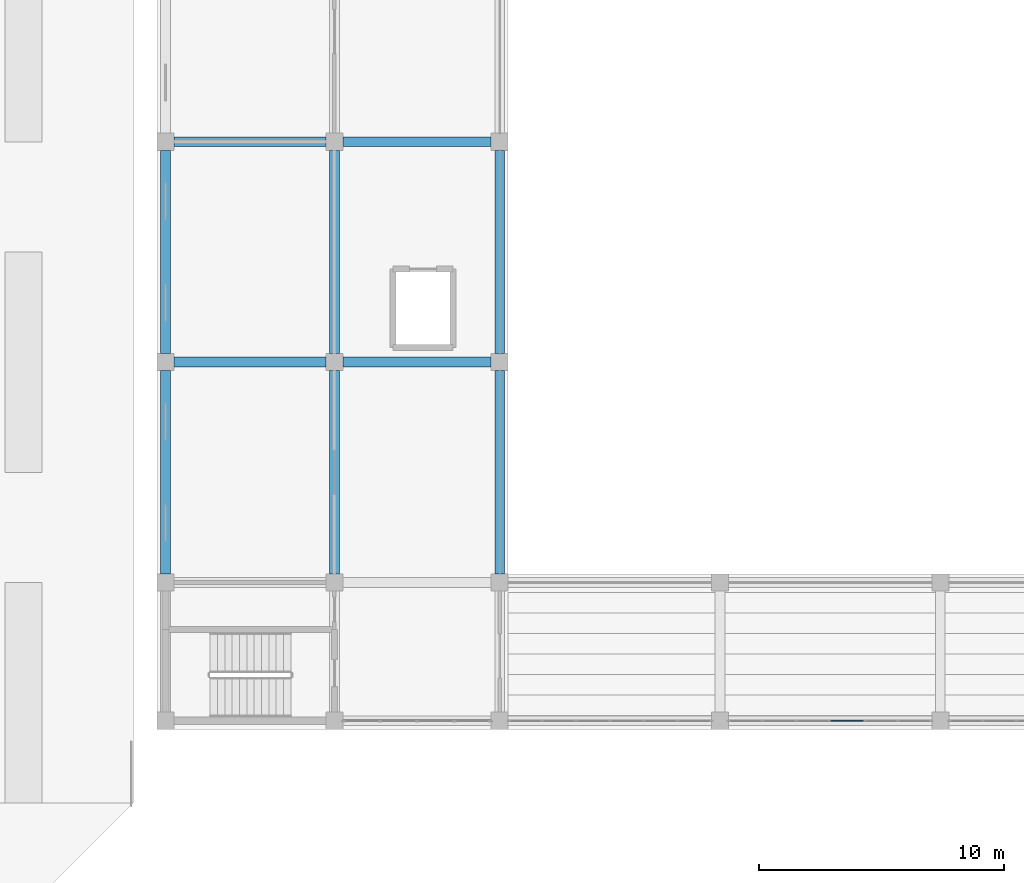
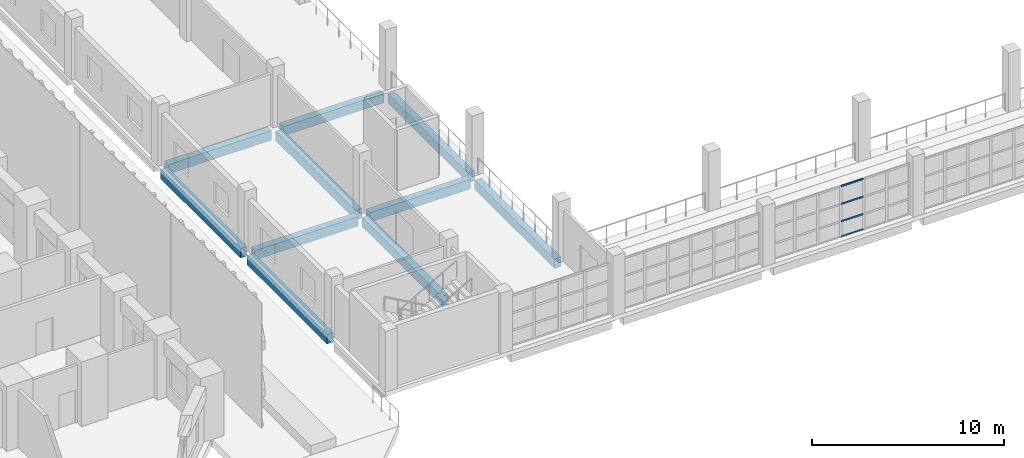
# One storey, part 4 of 36: 10 beams, 4 members, 1 element without a shape of its own.
"""IFC4 building model written with IfcOpenShell, lengths in metres."""

from ifc_helpers import new_model, si_unit, direction, frame, origin, origin_2d, place, context, subcontext, project, spatial, rectangle, extrude, material, layer, layer_set, material_profile, profile_set, type_object, element, aggregate, save


model = new_model("IFC4")

# Units and contexts
model_context = context("Model", 3, precision=1e-05, world=origin(), true_north=direction((0.0, 1.0)))
body_context = subcontext(model_context, "Body", "Model", "MODEL_VIEW")
ifc_project = project(units=[si_unit("LENGTHUNIT", "METRE"), si_unit("AREAUNIT", "SQUARE_METRE"), si_unit("VOLUMEUNIT", "CUBIC_METRE"), si_unit("PLANEANGLEUNIT", "RADIAN"), si_unit("MASSUNIT", "GRAM", prefix="KILO")], contexts=[model_context])

# Site, building, storey
site_placement = place(None, origin())
site = spatial("IfcSite", under=ifc_project, at=site_placement, CompositionType="ELEMENT")
building_placement = place(site_placement, origin())
building = spatial("IfcBuilding", under=site, at=building_placement, Name="Corbel Stack Research Tower", CompositionType="ELEMENT")
storey_placement = place(building_placement, frame((0.0, 0.0, 7.199951171875)))
storey = spatial("IfcBuildingStorey", under=building, at=storey_placement, Name="L01", CompositionType="ELEMENT", Elevation=7.199951171875)

# Curtain wall, members
ifc_material_1 = material(Name="Aluminium", Category="aluminium")
ifc_layer = layer(ifc_material_1, 0.139892578125)
ifc_layer_set = layer_set([ifc_layer], Name="Aluminium")
curtain_wall_type = type_object("IfcCurtainWallType", Name="CW6 gallery curtain wall", PredefinedType="NOTDEFINED", material=ifc_layer_set)
curtain_wall_placement = place(storey_placement, origin())
curtain_wall = element("IfcCurtainWall", 1, at=curtain_wall_placement, inside=storey, type_object=curtain_wall_type, Name="Gallery curtain wall L01 6", PredefinedType="NOTDEFINED")
ifc_material_2 = material(Name="Aluminium", Category="aluminium")
ifc_material_profile_1 = material_profile(ifc_material_2, rectangle(XDim=0.050048828125, YDim=0.10009765625, at=origin_2d()), Name="Transom 50 x 100")
ifc_profile_set_1 = profile_set([ifc_material_profile_1], Name="Aluminium")
member_type = type_object("IfcMemberType", Name="CW6 transom 50 x 100", PredefinedType="USERDEFINED", material=ifc_profile_set_1)
member_1_placement = place(storey_placement, frame((64.47509765625, -23.64990234375, 0.025146484375), z_axis=(1.0, 0.0, 0.0), x_axis=(0.0, 1.0, 0.0)))
member_1 = element("IfcMember", 2, at=member_1_placement, type_object=member_type, Name="CW6 transom 4.1", ObjectType="TRANSOM", PredefinedType="USERDEFINED", context=body_context, shape_type="SweptSolid", body=[
    extrude(rectangle(XDim=0.050048828125, YDim=0.10009765625, at=origin_2d()), origin(), (0.0, 0.0, 1.0), 1.333251953125),
])
member_2_placement = place(storey_placement, frame((64.47509765625, -23.64990234375, 1.0), z_axis=(1.0, 0.0, 0.0), x_axis=(0.0, 1.0, 0.0)))
member_2 = element("IfcMember", 3, at=member_2_placement, type_object=member_type, Name="CW6 transom 4.2", ObjectType="TRANSOM", PredefinedType="USERDEFINED", context=body_context, shape_type="SweptSolid", body=[
    extrude(rectangle(XDim=0.050048828125, YDim=0.10009765625, at=origin_2d()), origin(), (0.0, 0.0, 1.0), 1.333251953125),
])
member_3_placement = place(storey_placement, frame((64.47509765625, -23.64990234375, 2.10009765625), z_axis=(1.0, 0.0, 0.0), x_axis=(0.0, 1.0, 0.0)))
member_3 = element("IfcMember", 4, at=member_3_placement, type_object=member_type, Name="CW6 transom 4.3", ObjectType="TRANSOM", PredefinedType="USERDEFINED", context=body_context, shape_type="SweptSolid", body=[
    extrude(rectangle(XDim=0.050048828125, YDim=0.10009765625, at=origin_2d()), origin(), (0.0, 0.0, 1.0), 1.333251953125),
])
member_4_placement = place(storey_placement, frame((64.47509765625, -23.64990234375, 3.22509765625), z_axis=(1.0, 0.0, 0.0), x_axis=(0.0, 1.0, 0.0)))
member_4 = element("IfcMember", 5, at=member_4_placement, type_object=member_type, Name="CW6 transom 4.4", ObjectType="TRANSOM", PredefinedType="USERDEFINED", context=body_context, shape_type="SweptSolid", body=[
    extrude(rectangle(XDim=0.050048828125, YDim=0.10009765625, at=origin_2d()), origin(), (0.0, 0.0, 1.0), 1.333251953125),
])
aggregate(curtain_wall, [member_1, member_2, member_3, member_4])

# Beams
ifc_material_3 = material(Name="Concrete C40/50", Category="concrete")
ifc_material_profile_2 = material_profile(ifc_material_3, rectangle(XDim=0.39990234375, YDim=0.60009765625, at=origin_2d()), Name="RC 400 x 600")
ifc_profile_set_2 = profile_set([ifc_material_profile_2], Name="Concrete C40/50")
beam_type = type_object("IfcBeamType", Name="HB1 RC beam 400 x 600", PredefinedType="BEAM", material=ifc_profile_set_2)
beam_1_placement = place(storey_placement, frame((37.300048828125, -17.64990234375, -0.550048828125), z_axis=(0.0, 1.0, 0.0), x_axis=(-1.0, 0.0, 0.0)))
element("IfcBeam", 6, at=beam_1_placement, inside=storey, type_object=beam_type, Name="Floor beam L01 H1HB-H1HC", PredefinedType="BEAM", context=body_context, shape_type="SweptSolid", body=[
    extrude(rectangle(XDim=0.39990234375, YDim=0.60009765625, at=origin_2d()), origin(), (0.0, 0.0, 1.0), 8.2998046875),
])
beam_2_placement = place(storey_placement, frame((37.64990234375, -9.0, -0.550048828125), z_axis=(1.0, 0.0, 0.0), x_axis=(0.0, 1.0, 0.0)))
element("IfcBeam", 7, at=beam_2_placement, inside=storey, type_object=beam_type, Name="Floor beam L01 H1HC-H2HC", PredefinedType="BEAM", context=body_context, shape_type="SweptSolid", body=[
    extrude(rectangle(XDim=0.39990234375, YDim=0.60009765625, at=origin_2d()), origin(), (0.0, 0.0, 1.0), 6.2001953125),
])
beam_3_placement = place(storey_placement, frame((37.300048828125, -8.64990234375, -0.550048828125), z_axis=(0.0, 1.0, 0.0), x_axis=(-1.0, 0.0, 0.0)))
element("IfcBeam", 8, at=beam_3_placement, inside=storey, type_object=beam_type, Name="Floor beam L01 H1HC-H1HD", PredefinedType="BEAM", context=body_context, shape_type="SweptSolid", body=[
    extrude(rectangle(XDim=0.39990234375, YDim=0.60009765625, at=origin_2d()), origin(), (0.0, 0.0, 1.0), 8.2998046875),
])
beam_4_placement = place(storey_placement, frame((37.64990234375, 0.0, -0.550048828125), z_axis=(1.0, 0.0, 0.0), x_axis=(0.0, 1.0, 0.0)))
element("IfcBeam", 9, at=beam_4_placement, inside=storey, type_object=beam_type, Name="Floor beam L01 H1HD-H2HD", PredefinedType="BEAM", context=body_context, shape_type="SweptSolid", body=[
    extrude(rectangle(XDim=0.39990234375, YDim=0.60009765625, at=origin_2d()), origin(), (0.0, 0.0, 1.0), 6.2001953125),
])
beam_5_placement = place(storey_placement, frame((44.199951171875, -17.64990234375, -0.550048828125), z_axis=(0.0, 1.0, 0.0), x_axis=(-1.0, 0.0, 0.0)))
element("IfcBeam", 10, at=beam_5_placement, inside=storey, type_object=beam_type, Name="Floor beam L01 H2HB-H2HC", PredefinedType="BEAM", context=body_context, shape_type="SweptSolid", body=[
    extrude(rectangle(XDim=0.39990234375, YDim=0.60009765625, at=origin_2d()), origin(), (0.0, 0.0, 1.0), 8.2998046875),
])
beam_6_placement = place(storey_placement, frame((44.550048828125, -9.0, -0.550048828125), z_axis=(1.0, 0.0, 0.0), x_axis=(0.0, 1.0, 0.0)))
element("IfcBeam", 11, at=beam_6_placement, inside=storey, type_object=beam_type, Name="Floor beam L01 H2HC-H3HC", PredefinedType="BEAM", context=body_context, shape_type="SweptSolid", body=[
    extrude(rectangle(XDim=0.39990234375, YDim=0.60009765625, at=origin_2d()), origin(), (0.0, 0.0, 1.0), 6.050048828125),
])
beam_7_placement = place(storey_placement, frame((44.199951171875, -8.64990234375, -0.550048828125), z_axis=(0.0, 1.0, 0.0), x_axis=(-1.0, 0.0, 0.0)))
element("IfcBeam", 12, at=beam_7_placement, inside=storey, type_object=beam_type, Name="Floor beam L01 H2HC-H2HD", PredefinedType="BEAM", context=body_context, shape_type="SweptSolid", body=[
    extrude(rectangle(XDim=0.39990234375, YDim=0.60009765625, at=origin_2d()), origin(), (0.0, 0.0, 1.0), 8.2998046875),
])
beam_8_placement = place(storey_placement, frame((44.550048828125, 0.0, -0.550048828125), z_axis=(1.0, 0.0, 0.0), x_axis=(0.0, 1.0, 0.0)))
element("IfcBeam", 13, at=beam_8_placement, inside=storey, type_object=beam_type, Name="Floor beam L01 H2HD-H3HD", PredefinedType="BEAM", context=body_context, shape_type="SweptSolid", body=[
    extrude(rectangle(XDim=0.39990234375, YDim=0.60009765625, at=origin_2d()), origin(), (0.0, 0.0, 1.0), 6.050048828125),
])
for number, where, z_axis, x_axis, name in (
    (14, (50.949951171875, -17.64990234375, -0.550048828125), (0.0, 1.0, 0.0), (-1.0, 0.0, 0.0), "Floor beam L01 H3HB-H3HC"),
    (15, (50.949951171875, -8.64990234375, -0.550048828125), (0.0, 1.0, 0.0), (-1.0, 0.0, 0.0), "Floor beam L01 H3HC-H3HD"),
):
    element("IfcBeam", number, at=place(storey_placement, frame(where, z_axis=z_axis, x_axis=x_axis)), inside=storey, type_object=beam_type, Name=name, PredefinedType="BEAM", context=body_context, shape_type="SweptSolid", body=[
        extrude(rectangle(XDim=0.39990234375, YDim=0.60009765625, at=origin_2d()), origin(), (0.0, 0.0, 1.0), 8.2998046875),
    ])

save(model, "model.ifc")
